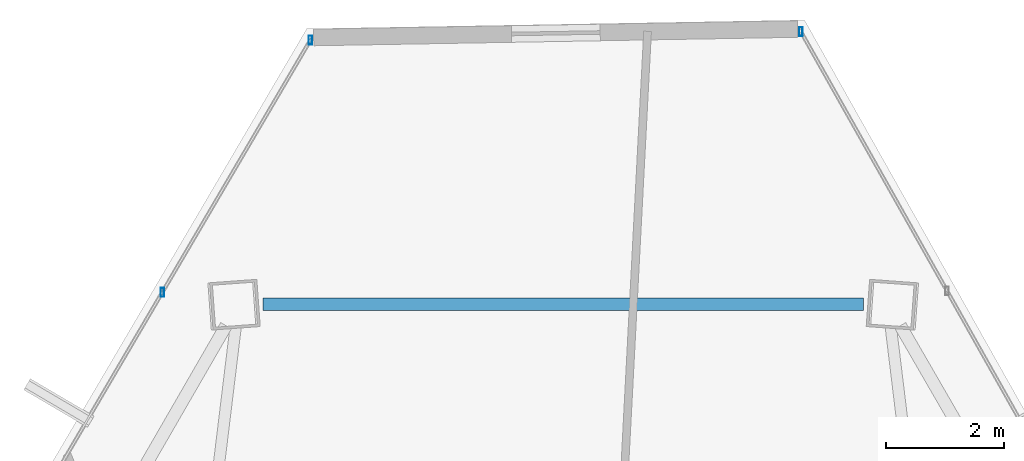
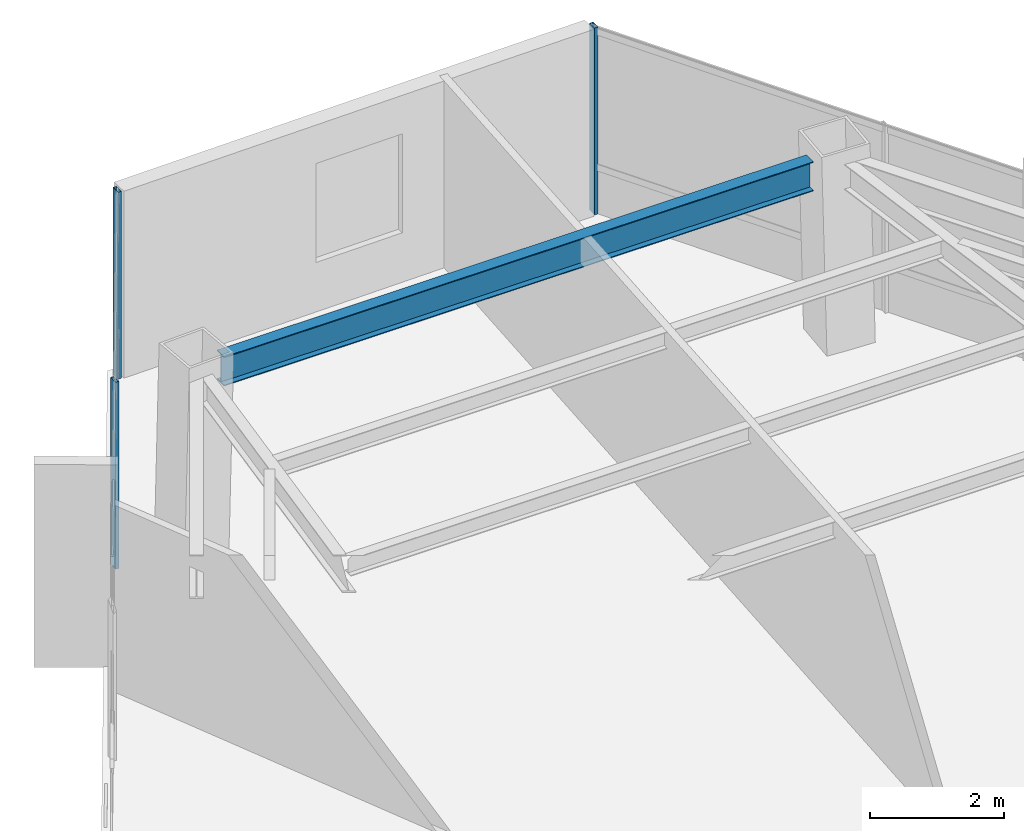
# One storey, part 29 of 42: 3 members, 1 beam, 2 elements without a shape of their own.
"""IFC4 building model written with IfcOpenShell, lengths in metres."""

from ifc_helpers import new_model, si_unit, direction, frame, origin, origin_2d, place, context, subcontext, project, spatial, hollow_rectangle, i_section, extrude, source, transform, mapped, material, material_profile, profile_set, type_object, type_shapes, element, aggregate, save


model = new_model("IFC4")

# Units and contexts
model_context = context("Model", 3, precision=1e-05, world=origin(), true_north=direction((0.0, 1.0)))
body_context = subcontext(model_context, "Body", "Model", "MODEL_VIEW")
ifc_project = project(units=[si_unit("LENGTHUNIT", "METRE"), si_unit("AREAUNIT", "SQUARE_METRE"), si_unit("VOLUMEUNIT", "CUBIC_METRE"), si_unit("PLANEANGLEUNIT", "RADIAN"), si_unit("MASSUNIT", "GRAM", prefix="KILO")], contexts=[model_context])

# Site, building, storey
site_placement = place(None, origin())
site = spatial("IfcSite", under=ifc_project, at=site_placement, CompositionType="ELEMENT")
building_placement = place(site_placement, origin())
building = spatial("IfcBuilding", under=site, at=building_placement, Name="Caelisora Broadcast Tower", CompositionType="ELEMENT")
storey_placement = place(building_placement, frame((0.0, 0.0, 184.050048828125)))
storey = spatial("IfcBuildingStorey", under=building, at=storey_placement, Name="L48", CompositionType="ELEMENT", Elevation=184.050048828125)

# Beam
ifc_material_1 = material(Name="Steel Grade 350 (AS/NZS 3679.1)", Category="steel")
ifc_material_profile_1 = material_profile(ifc_material_1, i_section(OverallWidth=0.208984375, OverallDepth=0.532958984375, WebThickness=0.01025390625, FlangeThickness=0.015625, at=origin_2d()), Name="Steel Grade 350 (AS/NZS 3679.1)")
ifc_profile_set_1 = profile_set([ifc_material_profile_1], Name="Steel Grade 350 (AS/NZS 3679.1)")
beam_type = type_object("IfcBeamType", Name="PG05", PredefinedType="BEAM", material=ifc_profile_set_1)
shared_shape_1 = source(origin(), body_context, "Body", "SweptSolid", [
    extrude(i_section(OverallWidth=0.208984375, OverallDepth=0.532958984375, WebThickness=0.01025390625, FlangeThickness=0.015625, at=origin_2d()), origin(), (0.0, 0.0, 1.0), 10.14208984375),
])
type_shapes(beam_type, [shared_shape_1])
beam_placement = place(storey_placement, frame((43.071044921875, 46.5537109375, 3.133544921875), z_axis=(-1.0, 0.0, 0.0), x_axis=(0.0, -1.0, 0.0)))
element("IfcBeam", 1, at=beam_placement, inside=storey, type_object=beam_type, Name="L48 beam PG05", PredefinedType="BEAM", context=body_context, shape_type="MappedRepresentation", body=[
    mapped(shared_shape_1, transform((0.0, 0.0, 0.0), scale=1.0)),
])

# Curtain wall, member
ifc_material_2 = material(Name="Unitised Aluminium and Low-E Glass Curtain Wall", Category="glass")
curtain_wall_type = type_object("IfcCurtainWallType", Name="CW-Z4", PredefinedType="NOTDEFINED", material=ifc_material_2)
curtain_wall_1_placement = place(storey_placement, origin())
curtain_wall_1 = element("IfcCurtainWall", 2, at=curtain_wall_1_placement, inside=storey, type_object=curtain_wall_type, Name="L48 curtain wall CW-Z4", PredefinedType="NOTDEFINED")
ifc_material_3 = material(Name="Aluminium 6063-T6 Anodised Terracotta Bronze", Category="aluminium")
ifc_material_profile_2 = material_profile(ifc_material_3, hollow_rectangle(XDim=0.06005859375, YDim=0.14990234375, WallThickness=0.00341796875, at=origin_2d()), Name="Aluminium 6063-T6 Anodised Terracotta Bronze")
ifc_profile_set_2 = profile_set([ifc_material_profile_2], Name="Aluminium 6063-T6 Anodised Terracotta Bronze")
member_type = type_object("IfcMemberType", Name="CWM-03", PredefinedType="MULLION", material=ifc_profile_set_2)
shared_shape_2 = source(origin(), body_context, "Body", "SweptSolid", [
    extrude(hollow_rectangle(XDim=0.06005859375, YDim=0.14990234375, WallThickness=0.00341796875, at=origin_2d()), origin(), (0.0, 0.0, 1.0), 3.39990234375),
])
type_shapes(member_type, [shared_shape_2])
member_1_placement = place(storey_placement, frame((42.013671875, 51.162353515625, 0.0), z_axis=(0.0, 0.0, 1.0), x_axis=(1.0, 0.0, 0.0)))
member_1 = element("IfcMember", 3, at=member_1_placement, type_object=member_type, Name="L48-CW-B01 mullion #0", PredefinedType="MULLION", context=body_context, shape_type="MappedRepresentation", body=[
    mapped(shared_shape_2, transform((0.0, 0.0, 0.0), scale=1.0)),
])
aggregate(curtain_wall_1, [member_1])

# Curtain wall, members
curtain_wall_2_placement = place(storey_placement, origin())
curtain_wall_2 = element("IfcCurtainWall", 4, at=curtain_wall_2_placement, inside=storey, type_object=curtain_wall_type, Name="L48 curtain wall CW-Z4", PredefinedType="NOTDEFINED")
member_2_placement = place(storey_placement, frame((31.228515625, 46.7587890625, 0.0), z_axis=(0.0, 0.0, 1.0), x_axis=(1.0, 0.0, 0.0)))
member_2 = element("IfcMember", 5, at=member_2_placement, type_object=member_type, Name="L48-CW-B11 mullion #2", PredefinedType="MULLION", context=body_context, shape_type="MappedRepresentation", body=[
    mapped(shared_shape_2, transform((0.0, 0.0, 0.0), scale=1.0)),
])
member_3_placement = place(storey_placement, frame((33.729736328125, 51.018798828125, 0.0), z_axis=(0.0, 0.0, 1.0), x_axis=(1.0, 0.0, 0.0)))
member_3 = element("IfcMember", 6, at=member_3_placement, type_object=member_type, Name="L48-CW-B11 mullion #3", PredefinedType="MULLION", context=body_context, shape_type="MappedRepresentation", body=[
    mapped(shared_shape_2, transform((0.0, 0.0, 0.0), scale=1.0)),
])
aggregate(curtain_wall_2, [member_2, member_3])

save(model, "model.ifc")
